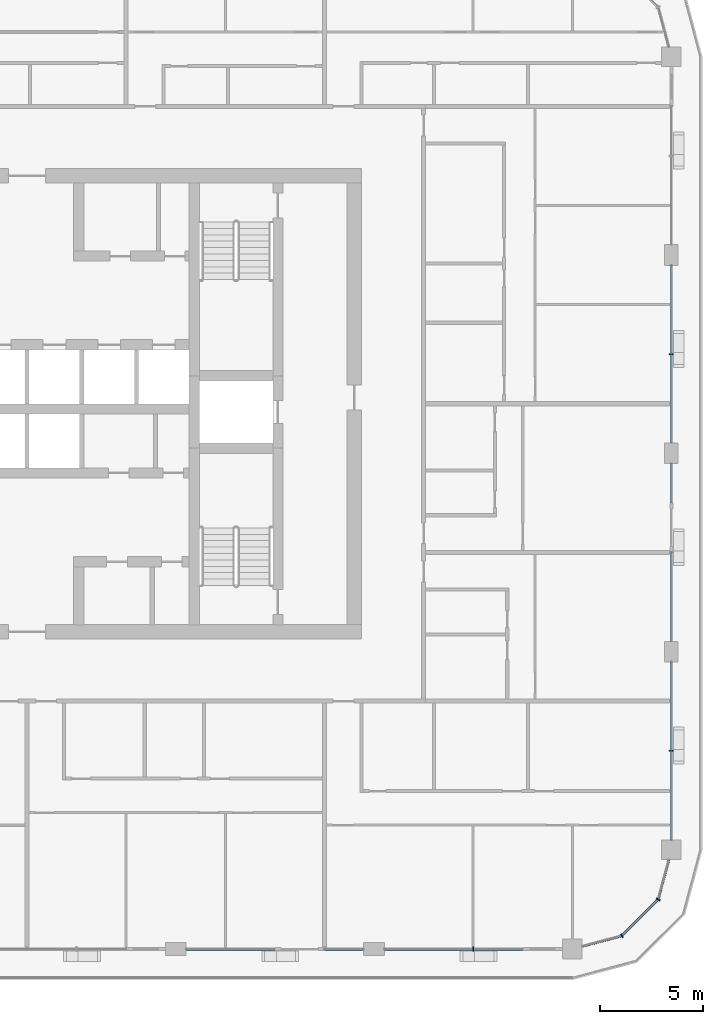
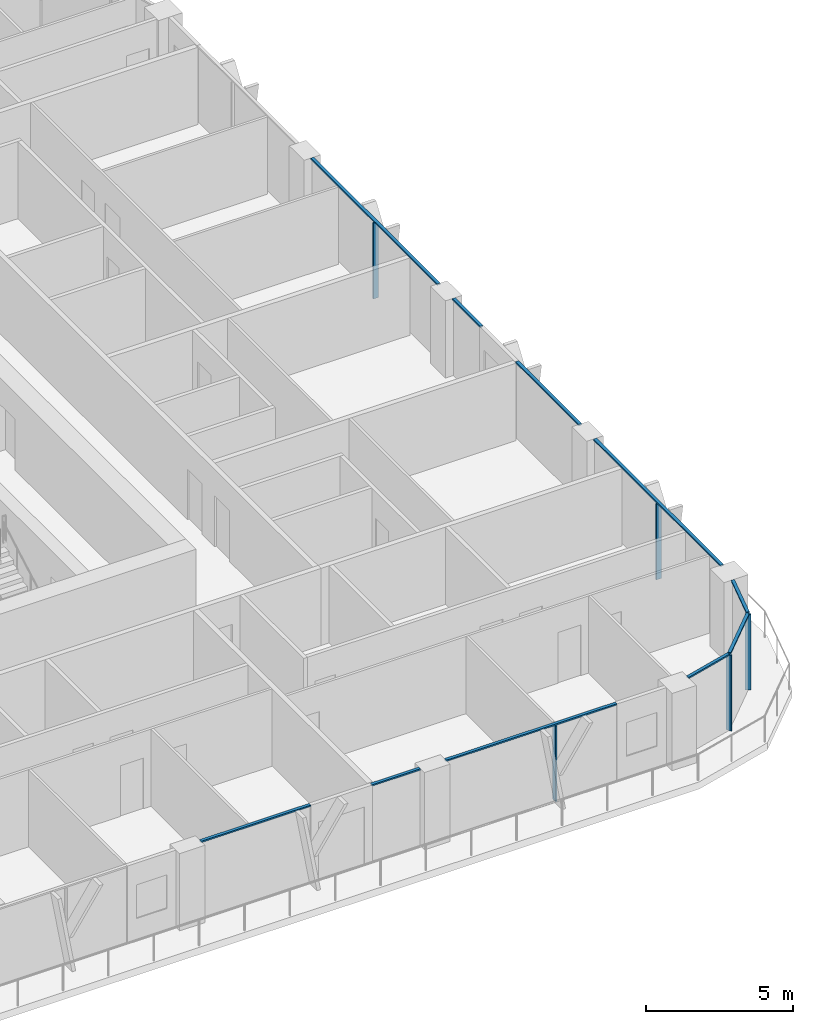
# One storey, part 4 of 22: 15 members, 6 elements without a shape of their own.
"""IFC4 building model written with IfcOpenShell, lengths in metres."""

from ifc_helpers import new_model, si_unit, direction, frame, origin, origin_2d, place, context, subcontext, project, spatial, rectangle, extrude, material, layer, layer_set, material_profile, profile_set, type_object, element, aggregate, save


model = new_model("IFC4")

# Units and contexts
model_context = context("Model", 3, precision=1e-05, world=origin(), true_north=direction((0.0, 1.0)))
body_context = subcontext(model_context, "Body", "Model", "MODEL_VIEW")
ifc_project = project(units=[si_unit("LENGTHUNIT", "METRE"), si_unit("AREAUNIT", "SQUARE_METRE"), si_unit("VOLUMEUNIT", "CUBIC_METRE"), si_unit("PLANEANGLEUNIT", "RADIAN"), si_unit("MASSUNIT", "GRAM", prefix="KILO")], contexts=[model_context])

# Site, building, storey
site_placement = place(None, origin())
site = spatial("IfcSite", under=ifc_project, at=site_placement, CompositionType="ELEMENT")
building_placement = place(site_placement, origin())
building = spatial("IfcBuilding", under=site, at=building_placement, Name="Madar Terraces", CompositionType="ELEMENT")
storey_placement = place(building_placement, frame((0.0, 0.0, 192.89990234375)))
storey = spatial("IfcBuildingStorey", under=building, at=storey_placement, Name="L50", CompositionType="ELEMENT", Elevation=192.89990234375)

# Curtain wall, member
ifc_material_1 = material(Name="Glass, ceramic frit dark grey, with black aluminium frame", Category="aluminium")
ifc_layer = layer(ifc_material_1, 0.199951171875)
ifc_layer_set = layer_set([ifc_layer], Name="Facade curtain wall, fritted glass")
curtain_wall_type = type_object("IfcCurtainWallType", Name="Facade curtain wall, fritted glass", PredefinedType="NOTDEFINED", material=ifc_layer_set)
curtain_wall_1_placement = place(storey_placement, origin())
curtain_wall_1 = element("IfcCurtainWall", 1, at=curtain_wall_1_placement, inside=storey, type_object=curtain_wall_type, Name="Outer skin curtain wall south bay 5", PredefinedType="NOTDEFINED")
ifc_material_2 = material(Name="Aluminium, black anodised", Category="aluminium")
ifc_material_profile_1 = material_profile(ifc_material_2, rectangle(XDim=0.199951171875, YDim=0.06005859375, at=origin_2d()), Name="Facade mullion 60x200")
ifc_profile_set_1 = profile_set([ifc_material_profile_1], Name="Aluminium, black anodised")
member_type_1 = type_object("IfcMemberType", Name="Facade mullion 60x200", PredefinedType="MULLION", material=ifc_profile_set_1)
member_1_placement = place(storey_placement, frame((52.800048828125, 0.0, 0.0), z_axis=(0.0, 0.0, 1.0), x_axis=(0.0, 1.0, 0.0)))
member_1 = element("IfcMember", 2, at=member_1_placement, type_object=member_type_1, Name="Mullion 1", PredefinedType="MULLION", context=body_context, shape_type="SweptSolid", body=[
    extrude(rectangle(XDim=0.199951171875, YDim=0.06005859375, at=origin_2d()), origin(), (0.0, 0.0, 1.0), 3.14013671875),
])

curtain_wall_2_placement = place(storey_placement, origin())
curtain_wall_2 = element("IfcCurtainWall", 3, at=curtain_wall_2_placement, inside=storey, type_object=curtain_wall_type, Name="Outer skin curtain wall east bay 1", PredefinedType="NOTDEFINED")
member_2_placement = place(storey_placement, frame((62.39990234375, 9.60009765625, 0.0), z_axis=(0.0, 0.0, 1.0), x_axis=(-1.0, 0.0, 0.0)))
member_2 = element("IfcMember", 4, at=member_2_placement, type_object=member_type_1, Name="Mullion 1", PredefinedType="MULLION", context=body_context, shape_type="SweptSolid", body=[
    extrude(rectangle(XDim=0.199951171875, YDim=0.06005859375, at=origin_2d()), origin(), (0.0, 0.0, 1.0), 3.14013671875),
])

curtain_wall_3_placement = place(storey_placement, origin())
curtain_wall_3 = element("IfcCurtainWall", 5, at=curtain_wall_3_placement, inside=storey, type_object=curtain_wall_type, Name="Outer skin curtain wall east bay 3", PredefinedType="NOTDEFINED")
member_3_placement = place(storey_placement, frame((62.39990234375, 28.800048828125, 0.0), z_axis=(0.0, 0.0, 1.0), x_axis=(-1.0, 0.0, 0.0)))
member_3 = element("IfcMember", 6, at=member_3_placement, type_object=member_type_1, Name="Mullion 1", PredefinedType="MULLION", context=body_context, shape_type="SweptSolid", body=[
    extrude(rectangle(XDim=0.199951171875, YDim=0.06005859375, at=origin_2d()), origin(), (0.0, 0.0, 1.0), 3.14013671875),
])

# Curtain wall, members
curtain_wall_4_placement = place(storey_placement, origin())
curtain_wall_4 = element("IfcCurtainWall", 7, at=curtain_wall_4_placement, inside=storey, type_object=curtain_wall_type, Name="Outer skin curtain wall south-east corner", PredefinedType="NOTDEFINED")
member_4_placement = place(storey_placement, frame((60.0, 0.64306640625, 0.0), z_axis=(0.0, 0.0, 1.0), x_axis=(-0.499999989586, 0.866025409797, 0.0)))
member_4 = element("IfcMember", 8, at=member_4_placement, type_object=member_type_1, Name="Mullion 1", PredefinedType="MULLION", context=body_context, shape_type="SweptSolid", body=[
    extrude(rectangle(XDim=0.199951171875, YDim=0.06005859375, at=origin_2d()), origin(), (0.0, 0.0, 1.0), 3.14013671875),
])
member_5_placement = place(storey_placement, frame((61.7568359375, 2.39990234375, 0.0), z_axis=(0.0, 0.0, 1.0), x_axis=(-0.866025409797, 0.499999989586, 0.0)))
member_5 = element("IfcMember", 9, at=member_5_placement, type_object=member_type_1, Name="Mullion 2", PredefinedType="MULLION", context=body_context, shape_type="SweptSolid", body=[
    extrude(rectangle(XDim=0.199951171875, YDim=0.06005859375, at=origin_2d()), origin(), (0.0, 0.0, 1.0), 3.14013671875),
])

curtain_wall_5_placement = place(storey_placement, origin())
curtain_wall_5 = element("IfcCurtainWall", 10, at=curtain_wall_5_placement, inside=storey, type_object=curtain_wall_type, Name="Outer skin curtain wall south bay 4", PredefinedType="NOTDEFINED")
ifc_material_3 = material(Name="Aluminium, black anodised", Category="aluminium")
ifc_material_profile_2 = material_profile(ifc_material_3, rectangle(XDim=0.1201171875, YDim=0.06005859375, at=origin_2d()), Name="Facade transom 60x120")
ifc_profile_set_2 = profile_set([ifc_material_profile_2], Name="Aluminium, black anodised")
member_type_2 = type_object("IfcMemberType", Name="Facade transom 60x120", PredefinedType="USERDEFINED", material=ifc_profile_set_2)
member_6_placement = place(storey_placement, frame((38.89990234375, 0.0, 3.170166015625), z_axis=(1.0, 0.0, 0.0), x_axis=(0.0, 1.0, 0.0)))
member_6 = element("IfcMember", 11, at=member_6_placement, type_object=member_type_2, Name="Transom 1", ObjectType="TRANSOM", PredefinedType="USERDEFINED", context=body_context, shape_type="SweptSolid", body=[
    extrude(rectangle(XDim=0.1201171875, YDim=0.06005859375, at=origin_2d()), origin(), (0.0, 0.0, 1.0), 4.300048828125),
])
member_7_placement = place(storey_placement, frame((45.60009765625, 0.0, 3.170166015625), z_axis=(1.0, 0.0, 0.0), x_axis=(0.0, 1.0, 0.0)))
member_7 = element("IfcMember", 12, at=member_7_placement, type_object=member_type_2, Name="Transom 2", ObjectType="TRANSOM", PredefinedType="USERDEFINED", context=body_context, shape_type="SweptSolid", body=[
    extrude(rectangle(XDim=0.1201171875, YDim=0.06005859375, at=origin_2d()), origin(), (0.0, 0.0, 1.0), 1.89990234375),
])
aggregate(curtain_wall_5, [member_6, member_7])

# Member
member_8_placement = place(storey_placement, frame((48.5, 0.0, 3.170166015625), z_axis=(1.0, 0.0, 0.0), x_axis=(0.0, 1.0, 0.0)))
member_8 = element("IfcMember", 13, at=member_8_placement, type_object=member_type_2, Name="Transom 1", ObjectType="TRANSOM", PredefinedType="USERDEFINED", context=body_context, shape_type="SweptSolid", body=[
    extrude(rectangle(XDim=0.1201171875, YDim=0.06005859375, at=origin_2d()), origin(), (0.0, 0.0, 1.0), 6.699951171875),
])

aggregate(curtain_wall_1, [member_1, member_8])

member_9_placement = place(storey_placement, frame((62.39990234375, 5.27490234375, 3.170166015625), z_axis=(0.0, 1.0, 0.0), x_axis=(-1.0, 0.0, 0.0)))
member_9 = element("IfcMember", 14, at=member_9_placement, type_object=member_type_2, Name="Transom 1", ObjectType="TRANSOM", PredefinedType="USERDEFINED", context=body_context, shape_type="SweptSolid", body=[
    extrude(rectangle(XDim=0.1201171875, YDim=0.06005859375, at=origin_2d()), origin(), (0.0, 0.0, 1.0), 8.625),
])

aggregate(curtain_wall_2, [member_2, member_9])

# Curtain wall, members
curtain_wall_6_placement = place(storey_placement, origin())
curtain_wall_6 = element("IfcCurtainWall", 15, at=curtain_wall_6_placement, inside=storey, type_object=curtain_wall_type, Name="Outer skin curtain wall east bay 2", PredefinedType="NOTDEFINED")
member_10_placement = place(storey_placement, frame((62.39990234375, 14.89990234375, 3.170166015625), z_axis=(0.0, 1.0, 0.0), x_axis=(-1.0, 0.0, 0.0)))
member_10 = element("IfcMember", 16, at=member_10_placement, type_object=member_type_2, Name="Transom 1", ObjectType="TRANSOM", PredefinedType="USERDEFINED", context=body_context, shape_type="SweptSolid", body=[
    extrude(rectangle(XDim=0.1201171875, YDim=0.06005859375, at=origin_2d()), origin(), (0.0, 0.0, 1.0), 4.300048828125),
])
member_11_placement = place(storey_placement, frame((62.39990234375, 21.60009765625, 3.170166015625), z_axis=(0.0, 1.0, 0.0), x_axis=(-1.0, 0.0, 0.0)))
member_11 = element("IfcMember", 17, at=member_11_placement, type_object=member_type_2, Name="Transom 2", ObjectType="TRANSOM", PredefinedType="USERDEFINED", context=body_context, shape_type="SweptSolid", body=[
    extrude(rectangle(XDim=0.1201171875, YDim=0.06005859375, at=origin_2d()), origin(), (0.0, 0.0, 1.0), 1.89990234375),
])
aggregate(curtain_wall_6, [member_10, member_11])

# Member
member_12_placement = place(storey_placement, frame((62.39990234375, 24.5, 3.170166015625), z_axis=(0.0, 1.0, 0.0), x_axis=(-1.0, 0.0, 0.0)))
member_12 = element("IfcMember", 18, at=member_12_placement, type_object=member_type_2, Name="Transom 1", ObjectType="TRANSOM", PredefinedType="USERDEFINED", context=body_context, shape_type="SweptSolid", body=[
    extrude(rectangle(XDim=0.1201171875, YDim=0.06005859375, at=origin_2d()), origin(), (0.0, 0.0, 1.0), 8.60009765625),
])

aggregate(curtain_wall_3, [member_3, member_12])

member_13_placement = place(storey_placement, frame((58.074951171875, 0.127197265625, 3.170166015625), z_axis=(0.96592251241, 0.258831412352, 0.0), x_axis=(-0.258831412352, 0.96592251241, 0.0)))
member_13 = element("IfcMember", 19, at=member_13_placement, type_object=member_type_2, Name="Transom 1", ObjectType="TRANSOM", PredefinedType="USERDEFINED", context=body_context, shape_type="SweptSolid", body=[
    extrude(rectangle(XDim=0.1201171875, YDim=0.06005859375, at=origin_2d()), origin(), (0.0, 0.0, 1.0), 1.962890625),
])

member_14_placement = place(storey_placement, frame((60.021240234375, 0.664306640625, 3.170166015625), z_axis=(0.707056433593, 0.707157125196, 0.0), x_axis=(-0.707157125196, 0.707056433593, 0.0)))
member_14 = element("IfcMember", 20, at=member_14_placement, type_object=member_type_2, Name="Transom 2", ObjectType="TRANSOM", PredefinedType="USERDEFINED", context=body_context, shape_type="SweptSolid", body=[
    extrude(rectangle(XDim=0.1201171875, YDim=0.06005859375, at=origin_2d()), origin(), (0.0, 0.0, 1.0), 2.424560546875),
])

member_15_placement = place(storey_placement, frame((61.7646484375, 2.428955078125, 3.170166015625), z_axis=(0.258831412352, 0.96592251241, 0.0), x_axis=(-0.96592251241, 0.258831412352, 0.0)))
member_15 = element("IfcMember", 21, at=member_15_placement, type_object=member_type_2, Name="Transom 3", ObjectType="TRANSOM", PredefinedType="USERDEFINED", context=body_context, shape_type="SweptSolid", body=[
    extrude(rectangle(XDim=0.1201171875, YDim=0.06005859375, at=origin_2d()), origin(), (0.0, 0.0, 1.0), 1.962890625),
])

aggregate(curtain_wall_4, [member_4, member_13, member_5, member_14, member_15])

save(model, "model.ifc")
